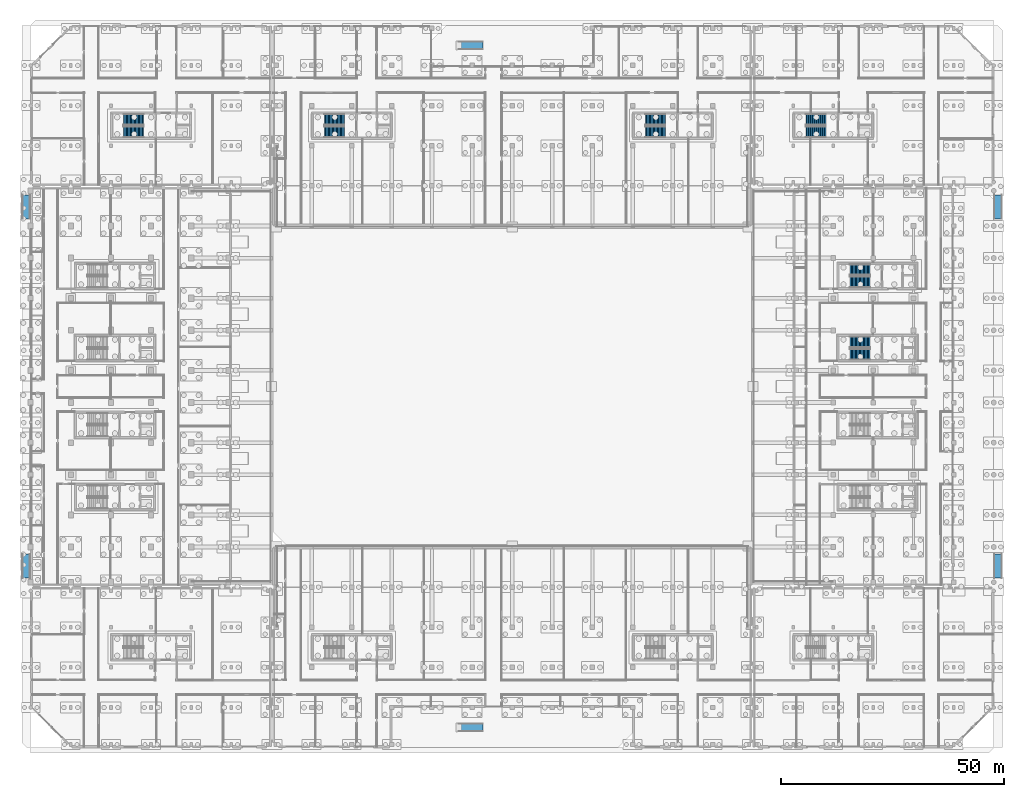
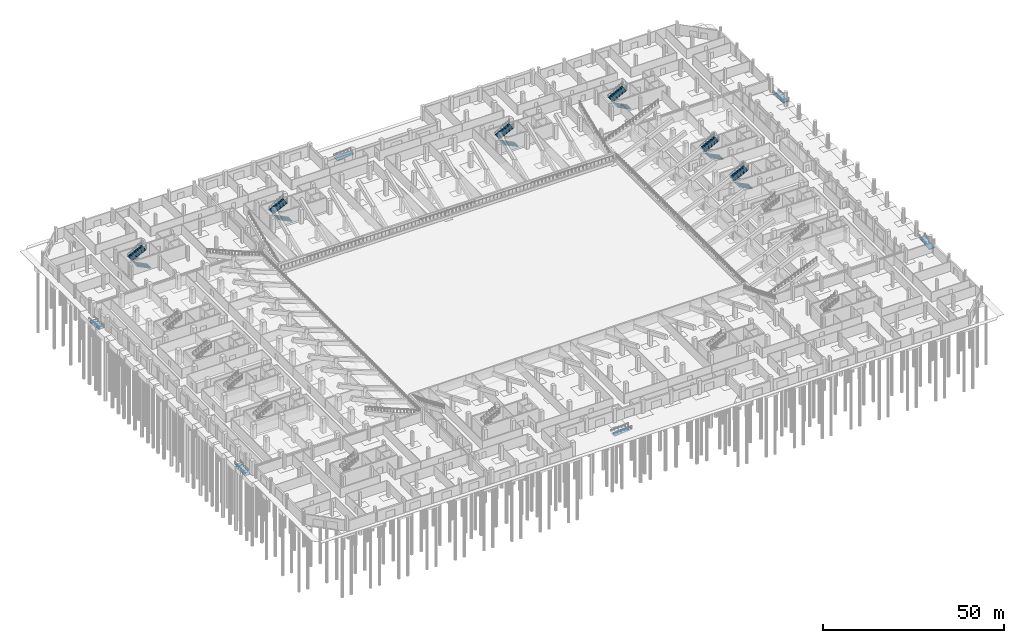
# One storey, part 41 of 53: 12 stair flights, 6 ramp flights, 12 elements without a shape of their own.
"""IFC4 building model written with IfcOpenShell, lengths in metres."""

from ifc_helpers import new_model, si_unit, direction, frame, origin, place, context, subcontext, project, spatial, polyline, outline, extrude, material, type_object, element, aggregate, save


model = new_model("IFC4")

# Units and contexts
model_context = context("Model", 3, precision=1e-05, world=origin(), true_north=direction((0.0, 1.0)))
body_context = subcontext(model_context, "Body", "Model", "MODEL_VIEW")
ifc_project = project(units=[si_unit("LENGTHUNIT", "METRE"), si_unit("AREAUNIT", "SQUARE_METRE"), si_unit("VOLUMEUNIT", "CUBIC_METRE"), si_unit("PLANEANGLEUNIT", "RADIAN"), si_unit("MASSUNIT", "GRAM", prefix="KILO"), si_unit("THERMODYNAMICTEMPERATUREUNIT", "KELVIN"), si_unit("POWERUNIT", "WATT")], contexts=[model_context])

# Site, building, storey
site_placement = place(None, origin())
site = spatial("IfcSite", under=ifc_project, at=site_placement, CompositionType="ELEMENT")
building_placement = place(site_placement, origin())
building = spatial("IfcBuilding", under=site, at=building_placement, Name="Sindhuravela Promenade Stadium", CompositionType="ELEMENT")
storey_placement = place(building_placement, origin())
storey = spatial("IfcBuildingStorey", under=building, at=storey_placement, Name="L00", CompositionType="ELEMENT", Elevation=0.0)

# Stair, stair flights
ifc_material = material(Name="Concrete M40", Category="concrete")
stair_type = type_object("IfcStairType", Name="ST-CORE-DOGLEG", PredefinedType="HALF_TURN_STAIR", material=ifc_material)
stair_1_placement = place(storey_placement, origin())
stair_1 = element("IfcStair", 1, at=stair_1_placement, inside=storey, type_object=stair_type, Name="Protected escape stair ST07 (L00)", PredefinedType="HALF_TURN_STAIR")
stair_flight_type = type_object("IfcStairFlightType", Name="SF-CORE-2400", PredefinedType="STRAIGHT", material=ifc_material)
stair_flight_1_placement = place(storey_placement, frame((188.25, 88.18994140625, 0.0), z_axis=(0.0, 0.0, 1.0), x_axis=(-1.0, 0.0, 0.0)))
stair_flight_1 = element("IfcStairFlight", 2, at=stair_flight_1_placement, type_object=stair_flight_type, Name="Stair ST07 lower flight (L00)", NumberOfRisers=16, NumberOfTreads=15, PredefinedType="STRAIGHT", RiserHeight=0.15, TreadLength=0.3, context=body_context, shape_type="SweptSolid", body=[
    extrude(outline(polyline([(0.0, 0.0), (0.0, 0.14990234375), (0.300048828125, 0.14990234375), (0.300048828125, 0.300048828125), (0.60009765625, 0.300048828125), (0.60009765625, 0.449951171875), (0.89990234375, 0.449951171875), (0.89990234375, 0.60009765625), (1.199951171875, 0.60009765625), (1.199951171875, 0.75), (1.5, 0.75), (1.5, 0.89990234375), (1.800048828125, 0.89990234375), (1.800048828125, 1.050048828125), (2.10009765625, 1.050048828125), (2.10009765625, 1.199951171875), (2.39990234375, 1.199951171875), (2.39990234375, 1.35009765625), (2.699951171875, 1.35009765625), (2.699951171875, 1.5), (3.0, 1.5), (3.0, 1.64990234375), (3.300048828125, 1.64990234375), (3.300048828125, 1.800048828125), (3.60009765625, 1.800048828125), (3.60009765625, 1.949951171875), (3.89990234375, 1.949951171875), (3.89990234375, 2.10009765625), (4.199951171875, 2.10009765625), (4.199951171875, 2.25), (4.5, 2.25), (4.5, 2.39990234375), (4.5, 2.0263671875), (0.447021484375, 0.0), (0.0, 0.0)])), frame((0.0, 1.25, 0.0), z_axis=(0.0, -1.0, 0.0), x_axis=(1.0, 0.0, 0.0)), (0.0, 0.0, 1.0), 2.5),
])
stair_flight_2_placement = place(storey_placement, frame((183.75, 91.010009765625, 2.39990234375), z_axis=(0.0, 0.0, 1.0), x_axis=(1.0, 0.0, 0.0)))
stair_flight_2 = element("IfcStairFlight", 3, at=stair_flight_2_placement, type_object=stair_flight_type, Name="Stair ST07 upper flight (L00)", NumberOfRisers=16, NumberOfTreads=15, PredefinedType="STRAIGHT", RiserHeight=0.15, TreadLength=0.3, context=body_context, shape_type="SweptSolid", body=[
    extrude(outline(polyline([(0.0, 0.0), (0.0, 0.14990234375), (0.300048828125, 0.14990234375), (0.300048828125, 0.300048828125), (0.60009765625, 0.300048828125), (0.60009765625, 0.449951171875), (0.89990234375, 0.449951171875), (0.89990234375, 0.60009765625), (1.199951171875, 0.60009765625), (1.199951171875, 0.75), (1.5, 0.75), (1.5, 0.89990234375), (1.800048828125, 0.89990234375), (1.800048828125, 1.050048828125), (2.10009765625, 1.050048828125), (2.10009765625, 1.199951171875), (2.39990234375, 1.199951171875), (2.39990234375, 1.35009765625), (2.699951171875, 1.35009765625), (2.699951171875, 1.5), (3.0, 1.5), (3.0, 1.64990234375), (3.300048828125, 1.64990234375), (3.300048828125, 1.800048828125), (3.60009765625, 1.800048828125), (3.60009765625, 1.949951171875), (3.89990234375, 1.949951171875), (3.89990234375, 2.10009765625), (4.199951171875, 2.10009765625), (4.199951171875, 2.25), (4.5, 2.25), (4.5, 2.39990234375), (4.5, 2.0263671875), (0.447021484375, 0.0), (0.0, 0.0)])), frame((0.0, 1.25, 0.0), z_axis=(0.0, -1.0, 0.0), x_axis=(1.0, 0.0, 0.0)), (0.0, 0.0, 1.0), 2.5),
])
aggregate(stair_1, [stair_flight_1, stair_flight_2])

stair_2_placement = place(storey_placement, origin())
stair_2 = element("IfcStair", 4, at=stair_2_placement, inside=storey, type_object=stair_type, Name="Protected escape stair ST08 (L00)", PredefinedType="HALF_TURN_STAIR")
stair_flight_3_placement = place(storey_placement, frame((188.25, 104.389892578125, 0.0), z_axis=(0.0, 0.0, 1.0), x_axis=(-1.0, 0.0, 0.0)))
stair_flight_3 = element("IfcStairFlight", 5, at=stair_flight_3_placement, type_object=stair_flight_type, Name="Stair ST08 lower flight (L00)", NumberOfRisers=16, NumberOfTreads=15, PredefinedType="STRAIGHT", RiserHeight=0.15, TreadLength=0.3, context=body_context, shape_type="SweptSolid", body=[
    extrude(outline(polyline([(0.0, 0.0), (0.0, 0.14990234375), (0.300048828125, 0.14990234375), (0.300048828125, 0.300048828125), (0.60009765625, 0.300048828125), (0.60009765625, 0.449951171875), (0.89990234375, 0.449951171875), (0.89990234375, 0.60009765625), (1.199951171875, 0.60009765625), (1.199951171875, 0.75), (1.5, 0.75), (1.5, 0.89990234375), (1.800048828125, 0.89990234375), (1.800048828125, 1.050048828125), (2.10009765625, 1.050048828125), (2.10009765625, 1.199951171875), (2.39990234375, 1.199951171875), (2.39990234375, 1.35009765625), (2.699951171875, 1.35009765625), (2.699951171875, 1.5), (3.0, 1.5), (3.0, 1.64990234375), (3.300048828125, 1.64990234375), (3.300048828125, 1.800048828125), (3.60009765625, 1.800048828125), (3.60009765625, 1.949951171875), (3.89990234375, 1.949951171875), (3.89990234375, 2.10009765625), (4.199951171875, 2.10009765625), (4.199951171875, 2.25), (4.5, 2.25), (4.5, 2.39990234375), (4.5, 2.0263671875), (0.447021484375, 0.0), (0.0, 0.0)])), frame((0.0, 1.25, 0.0), z_axis=(0.0, -1.0, 0.0), x_axis=(1.0, 0.0, 0.0)), (0.0, 0.0, 1.0), 2.5),
])
stair_flight_4_placement = place(storey_placement, frame((183.75, 107.2099609375, 2.39990234375), z_axis=(0.0, 0.0, 1.0), x_axis=(1.0, 0.0, 0.0)))
stair_flight_4 = element("IfcStairFlight", 6, at=stair_flight_4_placement, type_object=stair_flight_type, Name="Stair ST08 upper flight (L00)", NumberOfRisers=16, NumberOfTreads=15, PredefinedType="STRAIGHT", RiserHeight=0.15, TreadLength=0.3, context=body_context, shape_type="SweptSolid", body=[
    extrude(outline(polyline([(0.0, 0.0), (0.0, 0.14990234375), (0.300048828125, 0.14990234375), (0.300048828125, 0.300048828125), (0.60009765625, 0.300048828125), (0.60009765625, 0.449951171875), (0.89990234375, 0.449951171875), (0.89990234375, 0.60009765625), (1.199951171875, 0.60009765625), (1.199951171875, 0.75), (1.5, 0.75), (1.5, 0.89990234375), (1.800048828125, 0.89990234375), (1.800048828125, 1.050048828125), (2.10009765625, 1.050048828125), (2.10009765625, 1.199951171875), (2.39990234375, 1.199951171875), (2.39990234375, 1.35009765625), (2.699951171875, 1.35009765625), (2.699951171875, 1.5), (3.0, 1.5), (3.0, 1.64990234375), (3.300048828125, 1.64990234375), (3.300048828125, 1.800048828125), (3.60009765625, 1.800048828125), (3.60009765625, 1.949951171875), (3.89990234375, 1.949951171875), (3.89990234375, 2.10009765625), (4.199951171875, 2.10009765625), (4.199951171875, 2.25), (4.5, 2.25), (4.5, 2.39990234375), (4.5, 2.0263671875), (0.447021484375, 0.0), (0.0, 0.0)])), frame((0.0, 1.25, 0.0), z_axis=(0.0, -1.0, 0.0), x_axis=(1.0, 0.0, 0.0)), (0.0, 0.0, 1.0), 2.5),
])
aggregate(stair_2, [stair_flight_3, stair_flight_4])

stair_3_placement = place(storey_placement, origin())
stair_3 = element("IfcStair", 7, at=stair_3_placement, inside=storey, type_object=stair_type, Name="Protected escape stair ST09 (L00)", PredefinedType="HALF_TURN_STAIR")
stair_flight_5_placement = place(storey_placement, frame((70.35009765625, 138.090087890625, 0.0), z_axis=(0.0, 0.0, 1.0), x_axis=(-1.0, 0.0, 0.0)))
stair_flight_5 = element("IfcStairFlight", 8, at=stair_flight_5_placement, type_object=stair_flight_type, Name="Stair ST09 lower flight (L00)", NumberOfRisers=16, NumberOfTreads=15, PredefinedType="STRAIGHT", RiserHeight=0.15, TreadLength=0.3, context=body_context, shape_type="SweptSolid", body=[
    extrude(outline(polyline([(0.0, 0.0), (0.0, 0.14990234375), (0.300048828125, 0.14990234375), (0.300048828125, 0.300048828125), (0.60009765625, 0.300048828125), (0.60009765625, 0.449951171875), (0.89990234375, 0.449951171875), (0.89990234375, 0.60009765625), (1.199951171875, 0.60009765625), (1.199951171875, 0.75), (1.5, 0.75), (1.5, 0.89990234375), (1.800048828125, 0.89990234375), (1.800048828125, 1.050048828125), (2.10009765625, 1.050048828125), (2.10009765625, 1.199951171875), (2.39990234375, 1.199951171875), (2.39990234375, 1.35009765625), (2.699951171875, 1.35009765625), (2.699951171875, 1.5), (3.0, 1.5), (3.0, 1.64990234375), (3.300048828125, 1.64990234375), (3.300048828125, 1.800048828125), (3.60009765625, 1.800048828125), (3.60009765625, 1.949951171875), (3.89990234375, 1.949951171875), (3.89990234375, 2.10009765625), (4.199951171875, 2.10009765625), (4.199951171875, 2.25), (4.5, 2.25), (4.5, 2.39990234375), (4.5, 2.0263671875), (0.447021484375, 0.0), (0.0, 0.0)])), frame((0.0, 1.25, 0.0), z_axis=(0.0, -1.0, 0.0), x_axis=(1.0, 0.0, 0.0)), (0.0, 0.0, 1.0), 2.5),
])
stair_flight_6_placement = place(storey_placement, frame((65.85009765625, 140.909912109375, 2.39990234375), z_axis=(0.0, 0.0, 1.0), x_axis=(1.0, 0.0, 0.0)))
stair_flight_6 = element("IfcStairFlight", 9, at=stair_flight_6_placement, type_object=stair_flight_type, Name="Stair ST09 upper flight (L00)", NumberOfRisers=16, NumberOfTreads=15, PredefinedType="STRAIGHT", RiserHeight=0.15, TreadLength=0.3, context=body_context, shape_type="SweptSolid", body=[
    extrude(outline(polyline([(0.0, 0.0), (0.0, 0.14990234375), (0.300048828125, 0.14990234375), (0.300048828125, 0.300048828125), (0.60009765625, 0.300048828125), (0.60009765625, 0.449951171875), (0.89990234375, 0.449951171875), (0.89990234375, 0.60009765625), (1.199951171875, 0.60009765625), (1.199951171875, 0.75), (1.5, 0.75), (1.5, 0.89990234375), (1.800048828125, 0.89990234375), (1.800048828125, 1.050048828125), (2.10009765625, 1.050048828125), (2.10009765625, 1.199951171875), (2.39990234375, 1.199951171875), (2.39990234375, 1.35009765625), (2.699951171875, 1.35009765625), (2.699951171875, 1.5), (3.0, 1.5), (3.0, 1.64990234375), (3.300048828125, 1.64990234375), (3.300048828125, 1.800048828125), (3.60009765625, 1.800048828125), (3.60009765625, 1.949951171875), (3.89990234375, 1.949951171875), (3.89990234375, 2.10009765625), (4.199951171875, 2.10009765625), (4.199951171875, 2.25), (4.5, 2.25), (4.5, 2.39990234375), (4.5, 2.0263671875), (0.447021484375, 0.0), (0.0, 0.0)])), frame((0.0, 1.25, 0.0), z_axis=(0.0, -1.0, 0.0), x_axis=(1.0, 0.0, 0.0)), (0.0, 0.0, 1.0), 2.5),
])
aggregate(stair_3, [stair_flight_5, stair_flight_6])

stair_4_placement = place(storey_placement, origin())
stair_4 = element("IfcStair", 10, at=stair_4_placement, inside=storey, type_object=stair_type, Name="Protected escape stair ST10 (L00)", PredefinedType="HALF_TURN_STAIR")
stair_flight_7_placement = place(storey_placement, frame((142.35009765625, 138.090087890625, 0.0), z_axis=(0.0, 0.0, 1.0), x_axis=(-1.0, 0.0, 0.0)))
stair_flight_7 = element("IfcStairFlight", 11, at=stair_flight_7_placement, type_object=stair_flight_type, Name="Stair ST10 lower flight (L00)", NumberOfRisers=16, NumberOfTreads=15, PredefinedType="STRAIGHT", RiserHeight=0.15, TreadLength=0.3, context=body_context, shape_type="SweptSolid", body=[
    extrude(outline(polyline([(0.0, 0.0), (0.0, 0.14990234375), (0.300048828125, 0.14990234375), (0.300048828125, 0.300048828125), (0.60009765625, 0.300048828125), (0.60009765625, 0.449951171875), (0.89990234375, 0.449951171875), (0.89990234375, 0.60009765625), (1.199951171875, 0.60009765625), (1.199951171875, 0.75), (1.5, 0.75), (1.5, 0.89990234375), (1.800048828125, 0.89990234375), (1.800048828125, 1.050048828125), (2.10009765625, 1.050048828125), (2.10009765625, 1.199951171875), (2.39990234375, 1.199951171875), (2.39990234375, 1.35009765625), (2.699951171875, 1.35009765625), (2.699951171875, 1.5), (3.0, 1.5), (3.0, 1.64990234375), (3.300048828125, 1.64990234375), (3.300048828125, 1.800048828125), (3.60009765625, 1.800048828125), (3.60009765625, 1.949951171875), (3.89990234375, 1.949951171875), (3.89990234375, 2.10009765625), (4.199951171875, 2.10009765625), (4.199951171875, 2.25), (4.5, 2.25), (4.5, 2.39990234375), (4.5, 2.0263671875), (0.447021484375, 0.0), (0.0, 0.0)])), frame((0.0, 1.25, 0.0), z_axis=(0.0, -1.0, 0.0), x_axis=(1.0, 0.0, 0.0)), (0.0, 0.0, 1.0), 2.5),
])
stair_flight_8_placement = place(storey_placement, frame((137.85009765625, 140.909912109375, 2.39990234375), z_axis=(0.0, 0.0, 1.0), x_axis=(1.0, 0.0, 0.0)))
stair_flight_8 = element("IfcStairFlight", 12, at=stair_flight_8_placement, type_object=stair_flight_type, Name="Stair ST10 upper flight (L00)", NumberOfRisers=16, NumberOfTreads=15, PredefinedType="STRAIGHT", RiserHeight=0.15, TreadLength=0.3, context=body_context, shape_type="SweptSolid", body=[
    extrude(outline(polyline([(0.0, 0.0), (0.0, 0.14990234375), (0.300048828125, 0.14990234375), (0.300048828125, 0.300048828125), (0.60009765625, 0.300048828125), (0.60009765625, 0.449951171875), (0.89990234375, 0.449951171875), (0.89990234375, 0.60009765625), (1.199951171875, 0.60009765625), (1.199951171875, 0.75), (1.5, 0.75), (1.5, 0.89990234375), (1.800048828125, 0.89990234375), (1.800048828125, 1.050048828125), (2.10009765625, 1.050048828125), (2.10009765625, 1.199951171875), (2.39990234375, 1.199951171875), (2.39990234375, 1.35009765625), (2.699951171875, 1.35009765625), (2.699951171875, 1.5), (3.0, 1.5), (3.0, 1.64990234375), (3.300048828125, 1.64990234375), (3.300048828125, 1.800048828125), (3.60009765625, 1.800048828125), (3.60009765625, 1.949951171875), (3.89990234375, 1.949951171875), (3.89990234375, 2.10009765625), (4.199951171875, 2.10009765625), (4.199951171875, 2.25), (4.5, 2.25), (4.5, 2.39990234375), (4.5, 2.0263671875), (0.447021484375, 0.0), (0.0, 0.0)])), frame((0.0, 1.25, 0.0), z_axis=(0.0, -1.0, 0.0), x_axis=(1.0, 0.0, 0.0)), (0.0, 0.0, 1.0), 2.5),
])
aggregate(stair_4, [stair_flight_7, stair_flight_8])

stair_5_placement = place(storey_placement, origin())
stair_5 = element("IfcStair", 13, at=stair_5_placement, inside=storey, type_object=stair_type, Name="Protected escape stair GS03 (L00)", PredefinedType="HALF_TURN_STAIR")
stair_flight_9_placement = place(storey_placement, frame((25.35009765625, 138.090087890625, 0.0), z_axis=(0.0, 0.0, 1.0), x_axis=(-1.0, 0.0, 0.0)))
stair_flight_9 = element("IfcStairFlight", 14, at=stair_flight_9_placement, type_object=stair_flight_type, Name="Stair GS03 lower flight (L00)", NumberOfRisers=16, NumberOfTreads=15, PredefinedType="STRAIGHT", RiserHeight=0.15, TreadLength=0.3, context=body_context, shape_type="SweptSolid", body=[
    extrude(outline(polyline([(0.0, 0.0), (0.0, 0.14990234375), (0.300048828125, 0.14990234375), (0.300048828125, 0.300048828125), (0.60009765625, 0.300048828125), (0.60009765625, 0.449951171875), (0.89990234375, 0.449951171875), (0.89990234375, 0.60009765625), (1.199951171875, 0.60009765625), (1.199951171875, 0.75), (1.5, 0.75), (1.5, 0.89990234375), (1.800048828125, 0.89990234375), (1.800048828125, 1.050048828125), (2.10009765625, 1.050048828125), (2.10009765625, 1.199951171875), (2.39990234375, 1.199951171875), (2.39990234375, 1.35009765625), (2.699951171875, 1.35009765625), (2.699951171875, 1.5), (3.0, 1.5), (3.0, 1.64990234375), (3.300048828125, 1.64990234375), (3.300048828125, 1.800048828125), (3.60009765625, 1.800048828125), (3.60009765625, 1.949951171875), (3.89990234375, 1.949951171875), (3.89990234375, 2.10009765625), (4.199951171875, 2.10009765625), (4.199951171875, 2.25), (4.5, 2.25), (4.5, 2.39990234375), (4.5, 2.0263671875), (0.447021484375, 0.0), (0.0, 0.0)])), frame((0.0, 1.25, 0.0), z_axis=(0.0, -1.0, 0.0), x_axis=(1.0, 0.0, 0.0)), (0.0, 0.0, 1.0), 2.5),
])
stair_flight_10_placement = place(storey_placement, frame((20.85009765625, 140.909912109375, 2.39990234375), z_axis=(0.0, 0.0, 1.0), x_axis=(1.0, 0.0, 0.0)))
stair_flight_10 = element("IfcStairFlight", 15, at=stair_flight_10_placement, type_object=stair_flight_type, Name="Stair GS03 upper flight (L00)", NumberOfRisers=16, NumberOfTreads=15, PredefinedType="STRAIGHT", RiserHeight=0.15, TreadLength=0.3, context=body_context, shape_type="SweptSolid", body=[
    extrude(outline(polyline([(0.0, 0.0), (0.0, 0.14990234375), (0.300048828125, 0.14990234375), (0.300048828125, 0.300048828125), (0.60009765625, 0.300048828125), (0.60009765625, 0.449951171875), (0.89990234375, 0.449951171875), (0.89990234375, 0.60009765625), (1.199951171875, 0.60009765625), (1.199951171875, 0.75), (1.5, 0.75), (1.5, 0.89990234375), (1.800048828125, 0.89990234375), (1.800048828125, 1.050048828125), (2.10009765625, 1.050048828125), (2.10009765625, 1.199951171875), (2.39990234375, 1.199951171875), (2.39990234375, 1.35009765625), (2.699951171875, 1.35009765625), (2.699951171875, 1.5), (3.0, 1.5), (3.0, 1.64990234375), (3.300048828125, 1.64990234375), (3.300048828125, 1.800048828125), (3.60009765625, 1.800048828125), (3.60009765625, 1.949951171875), (3.89990234375, 1.949951171875), (3.89990234375, 2.10009765625), (4.199951171875, 2.10009765625), (4.199951171875, 2.25), (4.5, 2.25), (4.5, 2.39990234375), (4.5, 2.0263671875), (0.447021484375, 0.0), (0.0, 0.0)])), frame((0.0, 1.25, 0.0), z_axis=(0.0, -1.0, 0.0), x_axis=(1.0, 0.0, 0.0)), (0.0, 0.0, 1.0), 2.5),
])
aggregate(stair_5, [stair_flight_9, stair_flight_10])

stair_6_placement = place(storey_placement, origin())
stair_6 = element("IfcStair", 16, at=stair_6_placement, inside=storey, type_object=stair_type, Name="Protected escape stair GS04 (L00)", PredefinedType="HALF_TURN_STAIR")
stair_flight_11_placement = place(storey_placement, frame((178.35009765625, 138.090087890625, 0.0), z_axis=(0.0, 0.0, 1.0), x_axis=(-1.0, 0.0, 0.0)))
stair_flight_11 = element("IfcStairFlight", 17, at=stair_flight_11_placement, type_object=stair_flight_type, Name="Stair GS04 lower flight (L00)", NumberOfRisers=16, NumberOfTreads=15, PredefinedType="STRAIGHT", RiserHeight=0.15, TreadLength=0.3, context=body_context, shape_type="SweptSolid", body=[
    extrude(outline(polyline([(0.0, 0.0), (0.0, 0.14990234375), (0.300048828125, 0.14990234375), (0.300048828125, 0.300048828125), (0.60009765625, 0.300048828125), (0.60009765625, 0.449951171875), (0.89990234375, 0.449951171875), (0.89990234375, 0.60009765625), (1.199951171875, 0.60009765625), (1.199951171875, 0.75), (1.5, 0.75), (1.5, 0.89990234375), (1.800048828125, 0.89990234375), (1.800048828125, 1.050048828125), (2.10009765625, 1.050048828125), (2.10009765625, 1.199951171875), (2.39990234375, 1.199951171875), (2.39990234375, 1.35009765625), (2.699951171875, 1.35009765625), (2.699951171875, 1.5), (3.0, 1.5), (3.0, 1.64990234375), (3.300048828125, 1.64990234375), (3.300048828125, 1.800048828125), (3.60009765625, 1.800048828125), (3.60009765625, 1.949951171875), (3.89990234375, 1.949951171875), (3.89990234375, 2.10009765625), (4.199951171875, 2.10009765625), (4.199951171875, 2.25), (4.5, 2.25), (4.5, 2.39990234375), (4.5, 2.0263671875), (0.447021484375, 0.0), (0.0, 0.0)])), frame((0.0, 1.25, 0.0), z_axis=(0.0, -1.0, 0.0), x_axis=(1.0, 0.0, 0.0)), (0.0, 0.0, 1.0), 2.5),
])
stair_flight_12_placement = place(storey_placement, frame((173.85009765625, 140.909912109375, 2.39990234375), z_axis=(0.0, 0.0, 1.0), x_axis=(1.0, 0.0, 0.0)))
stair_flight_12 = element("IfcStairFlight", 18, at=stair_flight_12_placement, type_object=stair_flight_type, Name="Stair GS04 upper flight (L00)", NumberOfRisers=16, NumberOfTreads=15, PredefinedType="STRAIGHT", RiserHeight=0.15, TreadLength=0.3, context=body_context, shape_type="SweptSolid", body=[
    extrude(outline(polyline([(0.0, 0.0), (0.0, 0.14990234375), (0.300048828125, 0.14990234375), (0.300048828125, 0.300048828125), (0.60009765625, 0.300048828125), (0.60009765625, 0.449951171875), (0.89990234375, 0.449951171875), (0.89990234375, 0.60009765625), (1.199951171875, 0.60009765625), (1.199951171875, 0.75), (1.5, 0.75), (1.5, 0.89990234375), (1.800048828125, 0.89990234375), (1.800048828125, 1.050048828125), (2.10009765625, 1.050048828125), (2.10009765625, 1.199951171875), (2.39990234375, 1.199951171875), (2.39990234375, 1.35009765625), (2.699951171875, 1.35009765625), (2.699951171875, 1.5), (3.0, 1.5), (3.0, 1.64990234375), (3.300048828125, 1.64990234375), (3.300048828125, 1.800048828125), (3.60009765625, 1.800048828125), (3.60009765625, 1.949951171875), (3.89990234375, 1.949951171875), (3.89990234375, 2.10009765625), (4.199951171875, 2.10009765625), (4.199951171875, 2.25), (4.5, 2.25), (4.5, 2.39990234375), (4.5, 2.0263671875), (0.447021484375, 0.0), (0.0, 0.0)])), frame((0.0, 1.25, 0.0), z_axis=(0.0, -1.0, 0.0), x_axis=(1.0, 0.0, 0.0)), (0.0, 0.0, 1.0), 2.5),
])
aggregate(stair_6, [stair_flight_11, stair_flight_12])

# Ramp, ramp flight
ramp_type = type_object("IfcRampType", Name="RMP-ACC-1800", PredefinedType="STRAIGHT_RUN_RAMP", material=ifc_material)
ramp_1_placement = place(storey_placement, origin())
ramp_1 = element("IfcRamp", 19, at=ramp_1_placement, inside=storey, type_object=ramp_type, Name="West main entrance step-free ramp", PredefinedType="STRAIGHT_RUN_RAMP")
ramp_flight_type = type_object("IfcRampFlightType", Name="RF-ACC-1800", PredefinedType="STRAIGHT", material=ifc_material)
ramp_flight_1_placement = place(storey_placement, frame((-0.97998046875, 38.0, -0.449951171875), z_axis=(0.0, 0.0, 1.0), x_axis=(0.0, 1.0, 0.0)))
ramp_flight_1 = element("IfcRampFlight", 20, at=ramp_flight_1_placement, type_object=ramp_flight_type, Name="West main entrance step-free ramp flight", PredefinedType="STRAIGHT", context=body_context, shape_type="SweptSolid", body=[
    extrude(outline(polyline([(0.0, 0.0), (0.0, -0.219970703125), (5.39990234375, 0.22998046875), (5.39990234375, 0.449951171875), (0.0, 0.0)])), frame((0.0, 0.89990234375, 0.0), z_axis=(0.0, -1.0, 0.0), x_axis=(1.0, 0.0, 0.0)), (0.0, 0.0, 1.0), 1.800048828125),
])
aggregate(ramp_1, [ramp_flight_1])

ramp_2_placement = place(storey_placement, origin())
ramp_2 = element("IfcRamp", 21, at=ramp_2_placement, inside=storey, type_object=ramp_type, Name="West media entrance step-free ramp", PredefinedType="STRAIGHT_RUN_RAMP")
ramp_flight_2_placement = place(storey_placement, frame((-0.97998046875, 124.0, -0.449951171875), z_axis=(0.0, 0.0, 1.0), x_axis=(0.0, -1.0, 0.0)))
ramp_flight_2 = element("IfcRampFlight", 22, at=ramp_flight_2_placement, type_object=ramp_flight_type, Name="West media entrance step-free ramp flight", PredefinedType="STRAIGHT", context=body_context, shape_type="SweptSolid", body=[
    extrude(outline(polyline([(0.0, 0.0), (0.0, -0.219970703125), (5.39990234375, 0.22998046875), (5.39990234375, 0.449951171875), (0.0, 0.0)])), frame((0.0, 0.89990234375, 0.0), z_axis=(0.0, -1.0, 0.0), x_axis=(1.0, 0.0, 0.0)), (0.0, 0.0, 1.0), 1.800048828125),
])
aggregate(ramp_2, [ramp_flight_2])

ramp_3_placement = place(storey_placement, origin())
ramp_3 = element("IfcRamp", 23, at=ramp_3_placement, inside=storey, type_object=ramp_type, Name="East promenade south step-free ramp", PredefinedType="STRAIGHT_RUN_RAMP")
ramp_flight_3_placement = place(storey_placement, frame((216.97998046875, 38.0, -0.449951171875), z_axis=(0.0, 0.0, 1.0), x_axis=(0.0, 1.0, 0.0)))
ramp_flight_3 = element("IfcRampFlight", 24, at=ramp_flight_3_placement, type_object=ramp_flight_type, Name="East promenade south step-free ramp flight", PredefinedType="STRAIGHT", context=body_context, shape_type="SweptSolid", body=[
    extrude(outline(polyline([(0.0, 0.0), (0.0, -0.219970703125), (5.39990234375, 0.22998046875), (5.39990234375, 0.449951171875), (0.0, 0.0)])), frame((0.0, 0.89990234375, 0.0), z_axis=(0.0, -1.0, 0.0), x_axis=(1.0, 0.0, 0.0)), (0.0, 0.0, 1.0), 1.800048828125),
])
aggregate(ramp_3, [ramp_flight_3])

ramp_4_placement = place(storey_placement, origin())
ramp_4 = element("IfcRamp", 25, at=ramp_4_placement, inside=storey, type_object=ramp_type, Name="East promenade north step-free ramp", PredefinedType="STRAIGHT_RUN_RAMP")
ramp_flight_4_placement = place(storey_placement, frame((216.97998046875, 124.0, -0.449951171875), z_axis=(0.0, 0.0, 1.0), x_axis=(0.0, -1.0, 0.0)))
ramp_flight_4 = element("IfcRampFlight", 26, at=ramp_flight_4_placement, type_object=ramp_flight_type, Name="East promenade north step-free ramp flight", PredefinedType="STRAIGHT", context=body_context, shape_type="SweptSolid", body=[
    extrude(outline(polyline([(0.0, 0.0), (0.0, -0.219970703125), (5.39990234375, 0.22998046875), (5.39990234375, 0.449951171875), (0.0, 0.0)])), frame((0.0, 0.89990234375, 0.0), z_axis=(0.0, -1.0, 0.0), x_axis=(1.0, 0.0, 0.0)), (0.0, 0.0, 1.0), 1.800048828125),
])
aggregate(ramp_4, [ramp_flight_4])

ramp_5_placement = place(storey_placement, origin())
ramp_5 = element("IfcRamp", 27, at=ramp_5_placement, inside=storey, type_object=ramp_type, Name="South civic court step-free ramp", PredefinedType="STRAIGHT_RUN_RAMP")
ramp_flight_5_placement = place(storey_placement, frame((96.0, 4.5, -0.449951171875), z_axis=(0.0, 0.0, 1.0), x_axis=(1.0, 0.0, 0.0)))
ramp_flight_5 = element("IfcRampFlight", 28, at=ramp_flight_5_placement, type_object=ramp_flight_type, Name="South civic court step-free ramp flight", PredefinedType="STRAIGHT", context=body_context, shape_type="SweptSolid", body=[
    extrude(outline(polyline([(0.0, 0.0), (0.0, -0.219970703125), (5.39990234375, 0.22998046875), (5.39990234375, 0.449951171875), (0.0, 0.0)])), frame((0.0, 0.89990234375, 0.0), z_axis=(0.0, -1.0, 0.0), x_axis=(1.0, 0.0, 0.0)), (0.0, 0.0, 1.0), 1.800048828125),
])
aggregate(ramp_5, [ramp_flight_5])

ramp_6_placement = place(storey_placement, origin())
ramp_6 = element("IfcRamp", 29, at=ramp_6_placement, inside=storey, type_object=ramp_type, Name="North civic court step-free ramp", PredefinedType="STRAIGHT_RUN_RAMP")
ramp_flight_6_placement = place(storey_placement, frame((96.0, 157.5, -0.449951171875), z_axis=(0.0, 0.0, 1.0), x_axis=(1.0, 0.0, 0.0)))
ramp_flight_6 = element("IfcRampFlight", 30, at=ramp_flight_6_placement, type_object=ramp_flight_type, Name="North civic court step-free ramp flight", PredefinedType="STRAIGHT", context=body_context, shape_type="SweptSolid", body=[
    extrude(outline(polyline([(0.0, 0.0), (0.0, -0.219970703125), (5.39990234375, 0.22998046875), (5.39990234375, 0.449951171875), (0.0, 0.0)])), frame((0.0, 0.89990234375, 0.0), z_axis=(0.0, -1.0, 0.0), x_axis=(1.0, 0.0, 0.0)), (0.0, 0.0, 1.0), 1.800048828125),
])
aggregate(ramp_6, [ramp_flight_6])

save(model, "model.ifc")
